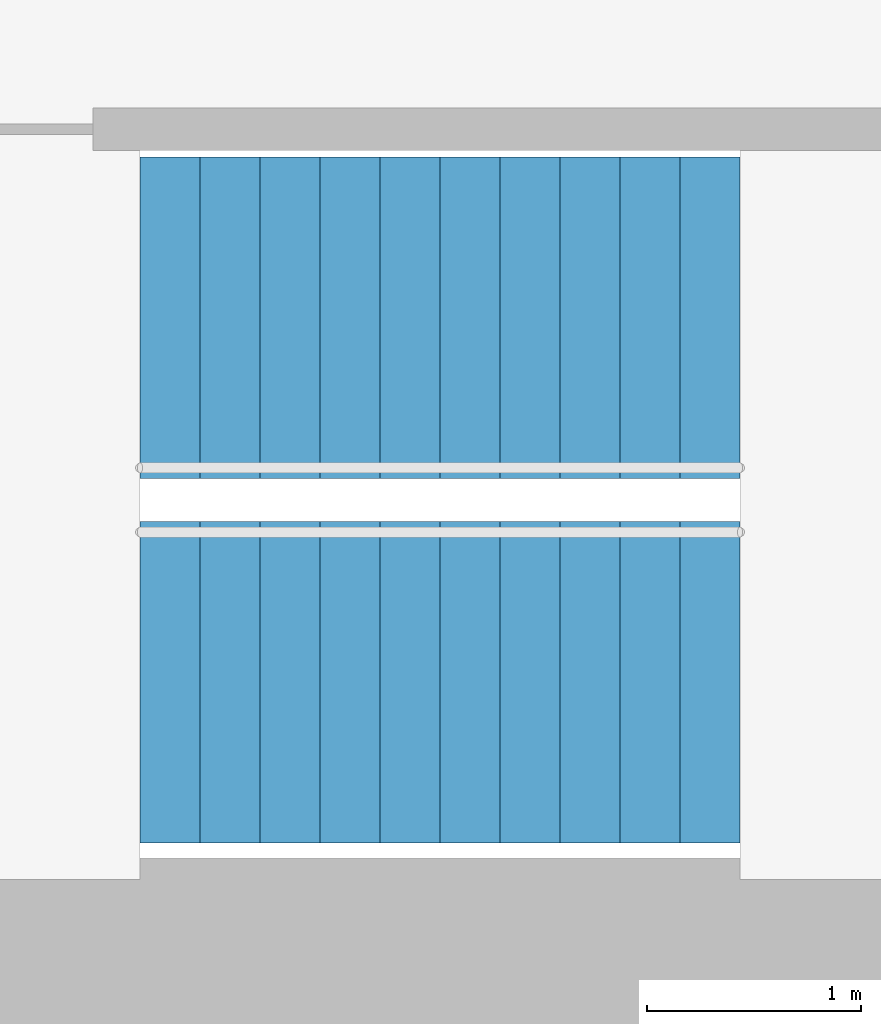
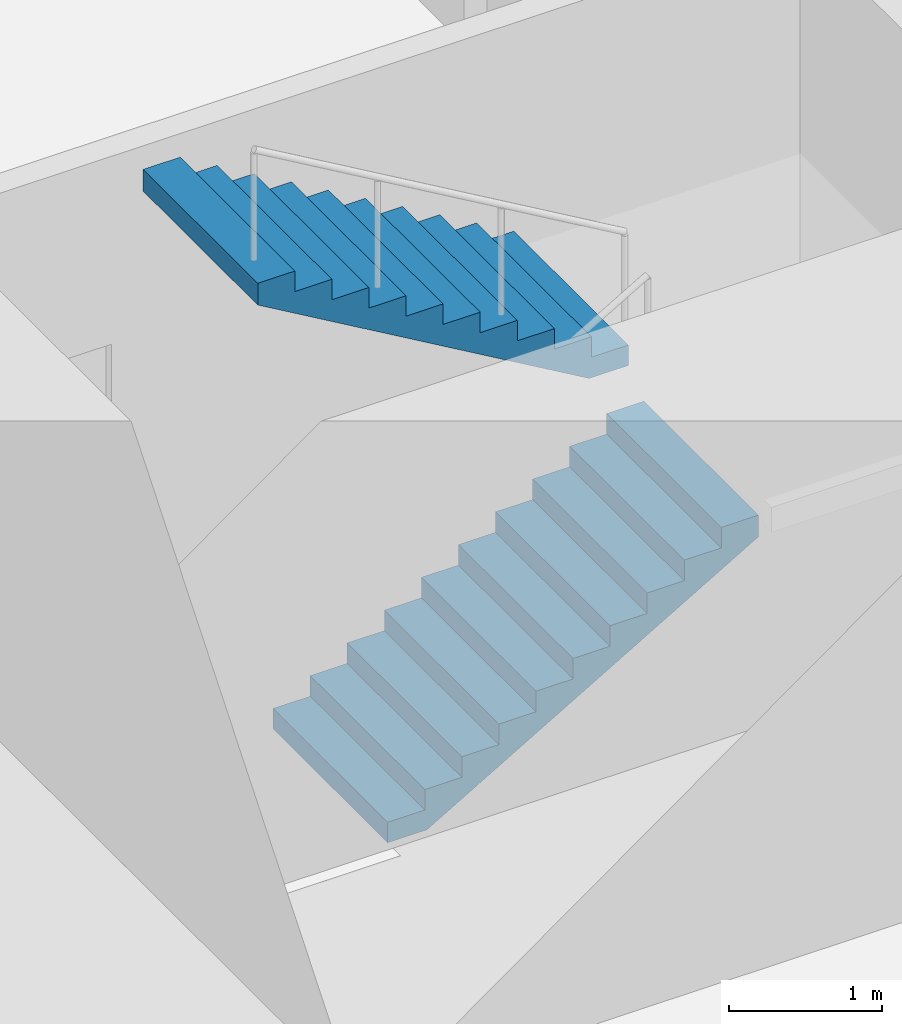
# One storey, part 14 of 17: 2 stair flights, 1 element without a shape of its own.
"""IFC4 building model written with IfcOpenShell, lengths in metres."""

from ifc_helpers import new_model, si_unit, direction, frame, origin, place, context, subcontext, project, spatial, triangles, material, type_object, element, aggregate, save


model = new_model("IFC4")

# Units and contexts
model_context = context("Model", 3, precision=1e-05, world=origin(), true_north=direction((0.0, 1.0)))
body_context = subcontext(model_context, "Body", "Model", "MODEL_VIEW")
ifc_project = project(units=[si_unit("LENGTHUNIT", "METRE"), si_unit("AREAUNIT", "SQUARE_METRE"), si_unit("VOLUMEUNIT", "CUBIC_METRE"), si_unit("PLANEANGLEUNIT", "RADIAN"), si_unit("MASSUNIT", "GRAM", prefix="KILO")], contexts=[model_context])

# Site, building, storey
site_placement = place(None, origin())
site = spatial("IfcSite", under=ifc_project, at=site_placement, CompositionType="ELEMENT")
building_placement = place(site_placement, origin())
building = spatial("IfcBuilding", under=site, at=building_placement, Name="Lantaw Convention Tower", CompositionType="ELEMENT")
storey_placement = place(building_placement, frame((0.0, 0.0, 37.0)))
storey = spatial("IfcBuildingStorey", under=building, at=storey_placement, Name="L06", CompositionType="ELEMENT", Elevation=37.0)

# Stair, stair flights
ifc_material = material(Name="Concrete C35/45", Category="concrete")
stair_type = type_object("IfcStairType", Name="Exit stair 1500 riser 163.64 in 2 flights", PredefinedType="HALF_TURN_STAIR", material=ifc_material)
stair_placement = place(storey_placement, origin())
stair = element("IfcStair", 1, at=stair_placement, inside=storey, type_object=stair_type, Name="Exit stair S1 L06", PredefinedType="HALF_TURN_STAIR")
stair_flight_type = type_object("IfcStairFlightType", Name="Stair flight 1500 riser 163.64", PredefinedType="STRAIGHT", material=ifc_material)
stair_flight_1_placement = place(storey_placement, frame((-10.580078125, -5.97998046875, 0.0), z_axis=(0.0, 0.0, 1.0), x_axis=(1.0, 0.0, 0.0)))
stair_flight_1 = element("IfcStairFlight", 2, at=stair_flight_1_placement, type_object=stair_flight_type, Name="S1 flight 1", NumberOfRisers=11, NumberOfTreads=10, PredefinedType="STRAIGHT", RiserHeight=0.163636364, TreadLength=0.28, context=body_context, shape_type="Tessellation", body=[
    triangles([(0.0, 0.75, 0.0), (0.0, 0.75, 0.163636364), (0.28, 0.75, 0.0), (0.28, 0.75, 0.163636364), (0.28, 0.75, 0.327272728), (0.2970904571225277, 0.75, 0.0), (0.2970904571225277, 0.75, 0.327272728), (0.56, 0.75, 0.1536484344906131), (0.56, 0.75, 0.327272728), (0.56, 0.75, 0.490909092), (0.8400000000000001, 0.75, 0.3172847984906131), (0.8400000000000001, 0.75, 0.490909092), (0.8400000000000001, 0.75, 0.654545456), (1.12, 0.75, 0.4809211624906131), (1.12, 0.75, 0.654545456), (1.12, 0.75, 0.8181818200000001), (1.4000000000000001, 0.75, 0.6445575264906132), (1.4000000000000001, 0.75, 0.8181818200000001), (1.4000000000000001, 0.75, 0.981818184), (1.6800000000000002, 0.75, 0.8081938904906131), (1.6800000000000002, 0.75, 0.981818184), (1.6800000000000002, 0.75, 1.145454548), (1.9600000000000002, 0.75, 0.9718302544906131), (1.9600000000000002, 0.75, 1.145454548), (1.9600000000000002, 0.75, 1.309090912), (2.24, 0.75, 1.135466618490613), (2.24, 0.75, 1.309090912), (2.24, 0.75, 1.472727276), (2.5200000000000005, 0.75, 1.2991029824906133), (2.5200000000000005, 0.75, 1.472727276), (2.5200000000000005, 0.75, 1.6363636400000001), (2.8000000000000003, 0.75, 1.462739346490613), (2.8000000000000003, 0.75, 1.6363636400000001), (0.0, -0.75, 0.0), (0.0, -0.75, 0.163636364), (0.28, -0.75, 0.0), (0.28, -0.75, 0.163636364), (0.28, -0.75, 0.327272728), (0.2970904571225277, -0.75, 0.0), (0.2970904571225277, -0.75, 0.327272728), (0.56, -0.75, 0.1536484344906131), (0.56, -0.75, 0.327272728), (0.56, -0.75, 0.490909092), (0.8400000000000001, -0.75, 0.3172847984906131), (0.8400000000000001, -0.75, 0.490909092), (0.8400000000000001, -0.75, 0.654545456), (1.12, -0.75, 0.4809211624906131), (1.12, -0.75, 0.654545456), (1.12, -0.75, 0.8181818200000001), (1.4000000000000001, -0.75, 0.6445575264906132), (1.4000000000000001, -0.75, 0.8181818200000001), (1.4000000000000001, -0.75, 0.981818184), (1.6800000000000002, -0.75, 0.8081938904906131), (1.6800000000000002, -0.75, 0.981818184), (1.6800000000000002, -0.75, 1.145454548), (1.9600000000000002, -0.75, 0.9718302544906131), (1.9600000000000002, -0.75, 1.145454548), (1.9600000000000002, -0.75, 1.309090912), (2.24, -0.75, 1.135466618490613), (2.24, -0.75, 1.309090912), (2.24, -0.75, 1.472727276), (2.5200000000000005, -0.75, 1.2991029824906133), (2.5200000000000005, -0.75, 1.472727276), (2.5200000000000005, -0.75, 1.6363636400000001), (2.8000000000000003, -0.75, 1.462739346490613), (2.8000000000000003, -0.75, 1.6363636400000001), (0.0, 0.15000000000000002, 0.163636364), (0.0, 0.15000000000000002, 0.0), (0.0, 0.0, 0.163636364), (0.0, 0.0, 0.0), (0.0, -0.15000000000000002, 0.163636364), (0.0, -0.15000000000000002, 0.0), (0.28, 0.15000000000000002, 0.327272728), (0.28, 0.15000000000000002, 0.163636364), (0.28, 0.0, 0.327272728), (0.28, 0.0, 0.163636364), (0.28, -0.15000000000000002, 0.327272728), (0.28, -0.15000000000000002, 0.163636364), (0.56, 0.15000000000000002, 0.490909092), (0.56, 0.15000000000000002, 0.327272728), (0.56, 0.0, 0.490909092), (0.56, 0.0, 0.327272728), (0.56, -0.15000000000000002, 0.490909092), (0.56, -0.15000000000000002, 0.327272728), (0.8400000000000001, 0.15000000000000002, 0.654545456), (0.8400000000000001, 0.15000000000000002, 0.490909092), (0.8400000000000001, 0.0, 0.654545456), (0.8400000000000001, 0.0, 0.490909092), (0.8400000000000001, -0.15000000000000002, 0.654545456), (0.8400000000000001, -0.15000000000000002, 0.490909092), (1.12, 0.15000000000000002, 0.8181818200000001), (1.12, 0.15000000000000002, 0.654545456), (1.12, 0.0, 0.8181818200000001), (1.12, 0.0, 0.654545456), (1.12, -0.15000000000000002, 0.8181818200000001), (1.12, -0.15000000000000002, 0.654545456), (1.4000000000000001, 0.15000000000000002, 0.981818184), (1.4000000000000001, 0.15000000000000002, 0.8181818200000001), (1.4000000000000001, 0.0, 0.981818184), (1.4000000000000001, 0.0, 0.8181818200000001), (1.4000000000000001, -0.15000000000000002, 0.981818184), (1.4000000000000001, -0.15000000000000002, 0.8181818200000001), (1.6800000000000002, 0.15000000000000002, 1.145454548), (1.6800000000000002, 0.15000000000000002, 0.981818184), (1.6800000000000002, 0.0, 1.145454548), (1.6800000000000002, 0.0, 0.981818184), (1.6800000000000002, -0.15000000000000002, 1.145454548), (1.6800000000000002, -0.15000000000000002, 0.981818184), (1.9600000000000002, 0.15000000000000002, 1.309090912), (1.9600000000000002, 0.15000000000000002, 1.145454548), (1.9600000000000002, 0.0, 1.309090912), (1.9600000000000002, 0.0, 1.145454548), (1.9600000000000002, -0.15000000000000002, 1.309090912), (1.9600000000000002, -0.15000000000000002, 1.145454548), (2.24, 0.15000000000000002, 1.472727276), (2.24, 0.15000000000000002, 1.309090912), (2.24, 0.0, 1.472727276), (2.24, 0.0, 1.309090912), (2.24, -0.15000000000000002, 1.472727276), (2.24, -0.15000000000000002, 1.309090912), (2.5200000000000005, 0.15000000000000002, 1.6363636400000001), (2.5200000000000005, 0.15000000000000002, 1.472727276), (2.5200000000000005, 0.0, 1.6363636400000001), (2.5200000000000005, 0.0, 1.472727276), (2.5200000000000005, -0.15000000000000002, 1.6363636400000001), (2.5200000000000005, -0.15000000000000002, 1.472727276), (0.2970904571225277, 0.15000000000000002, 0.327272728), (0.2970904571225277, 0.0, 0.327272728), (0.2970904571225277, -0.15000000000000002, 0.327272728), (2.8000000000000003, 0.15000000000000002, 1.6363636400000001), (2.8000000000000003, 0.0, 1.6363636400000001), (2.8000000000000003, -0.15000000000000002, 1.6363636400000001), (2.8000000000000003, 0.15000000000000002, 1.462739346490613), (2.8000000000000003, 0.0, 1.462739346490613), (2.8000000000000003, -0.15000000000000002, 1.462739346490613), (2.5200000000000005, 0.15000000000000002, 1.2991029824906133), (2.5200000000000005, 0.0, 1.2991029824906133), (2.5200000000000005, -0.15000000000000002, 1.2991029824906133), (2.24, 0.15000000000000002, 1.135466618490613), (2.24, 0.0, 1.135466618490613), (2.24, -0.15000000000000002, 1.135466618490613), (1.9600000000000002, 0.15000000000000002, 0.9718302544906131), (1.9600000000000002, 0.0, 0.9718302544906131), (1.9600000000000002, -0.15000000000000002, 0.9718302544906131), (1.6800000000000002, 0.15000000000000002, 0.8081938904906131), (1.6800000000000002, 0.0, 0.8081938904906131), (1.6800000000000002, -0.15000000000000002, 0.8081938904906131), (1.4000000000000001, 0.15000000000000002, 0.6445575264906132), (1.4000000000000001, 0.0, 0.6445575264906132), (1.4000000000000001, -0.15000000000000002, 0.6445575264906132), (1.12, 0.15000000000000002, 0.4809211624906131), (1.12, 0.0, 0.4809211624906131), (1.12, -0.15000000000000002, 0.4809211624906131), (0.8400000000000001, 0.15000000000000002, 0.3172847984906131), (0.8400000000000001, 0.0, 0.3172847984906131), (0.8400000000000001, -0.15000000000000002, 0.3172847984906131), (0.56, 0.15000000000000002, 0.1536484344906131), (0.56, 0.0, 0.1536484344906131), (0.56, -0.15000000000000002, 0.1536484344906131), (0.2970904571225277, 0.15000000000000002, 0.0), (0.2970904571225277, 0.0, 0.0), (0.2970904571225277, -0.15000000000000002, 0.0), (0.28, 0.15000000000000002, 0.0), (0.28, 0.0, 0.0), (0.28, -0.15000000000000002, 0.0)], [[1, 4, 3], [1, 2, 4], [3, 4, 6], [4, 7, 6], [4, 5, 7], [6, 9, 8], [6, 7, 9], [8, 9, 11], [9, 12, 11], [9, 10, 12], [11, 12, 14], [12, 15, 14], [12, 13, 15], [14, 15, 17], [15, 18, 17], [15, 16, 18], [17, 18, 20], [18, 21, 20], [18, 19, 21], [20, 21, 23], [21, 24, 23], [21, 22, 24], [23, 24, 26], [24, 27, 26], [24, 25, 27], [26, 27, 29], [27, 30, 29], [27, 28, 30], [29, 30, 32], [30, 33, 32], [30, 31, 33], [34, 36, 37], [34, 37, 35], [36, 39, 37], [37, 39, 40], [37, 40, 38], [39, 41, 42], [39, 42, 40], [41, 44, 42], [42, 44, 45], [42, 45, 43], [44, 47, 45], [45, 47, 48], [45, 48, 46], [47, 50, 48], [48, 50, 51], [48, 51, 49], [50, 53, 51], [51, 53, 54], [51, 54, 52], [53, 56, 54], [54, 56, 57], [54, 57, 55], [56, 59, 57], [57, 59, 60], [57, 60, 58], [59, 62, 60], [60, 62, 63], [60, 63, 61], [62, 65, 63], [63, 65, 66], [63, 66, 64], [1, 67, 2], [1, 68, 67], [68, 69, 67], [68, 70, 69], [70, 71, 69], [70, 72, 71], [72, 35, 71], [72, 34, 35], [4, 73, 5], [4, 74, 73], [74, 75, 73], [74, 76, 75], [76, 77, 75], [76, 78, 77], [78, 38, 77], [78, 37, 38], [9, 79, 10], [9, 80, 79], [80, 81, 79], [80, 82, 81], [82, 83, 81], [82, 84, 83], [84, 43, 83], [84, 42, 43], [12, 85, 13], [12, 86, 85], [86, 87, 85], [86, 88, 87], [88, 89, 87], [88, 90, 89], [90, 46, 89], [90, 45, 46], [15, 91, 16], [15, 92, 91], [92, 93, 91], [92, 94, 93], [94, 95, 93], [94, 96, 95], [96, 49, 95], [96, 48, 49], [18, 97, 19], [18, 98, 97], [98, 99, 97], [98, 100, 99], [100, 101, 99], [100, 102, 101], [102, 52, 101], [102, 51, 52], [21, 103, 22], [21, 104, 103], [104, 105, 103], [104, 106, 105], [106, 107, 105], [106, 108, 107], [108, 55, 107], [108, 54, 55], [24, 109, 25], [24, 110, 109], [110, 111, 109], [110, 112, 111], [112, 113, 111], [112, 114, 113], [114, 58, 113], [114, 57, 58], [27, 115, 28], [27, 116, 115], [116, 117, 115], [116, 118, 117], [118, 119, 117], [118, 120, 119], [120, 61, 119], [120, 60, 61], [30, 121, 31], [30, 122, 121], [122, 123, 121], [122, 124, 123], [124, 125, 123], [124, 126, 125], [126, 64, 125], [126, 63, 64], [2, 74, 4], [2, 67, 74], [67, 76, 74], [67, 69, 76], [69, 78, 76], [69, 71, 78], [71, 37, 78], [71, 35, 37], [5, 127, 7], [5, 73, 127], [73, 128, 127], [73, 75, 128], [75, 129, 128], [75, 77, 129], [77, 40, 129], [77, 38, 40], [7, 80, 9], [7, 127, 80], [127, 82, 80], [127, 128, 82], [128, 84, 82], [128, 129, 84], [129, 42, 84], [129, 40, 42], [10, 86, 12], [10, 79, 86], [79, 88, 86], [79, 81, 88], [81, 90, 88], [81, 83, 90], [83, 45, 90], [83, 43, 45], [13, 92, 15], [13, 85, 92], [85, 94, 92], [85, 87, 94], [87, 96, 94], [87, 89, 96], [89, 48, 96], [89, 46, 48], [16, 98, 18], [16, 91, 98], [91, 100, 98], [91, 93, 100], [93, 102, 100], [93, 95, 102], [95, 51, 102], [95, 49, 51], [19, 104, 21], [19, 97, 104], [97, 106, 104], [97, 99, 106], [99, 108, 106], [99, 101, 108], [101, 54, 108], [101, 52, 54], [22, 110, 24], [22, 103, 110], [103, 112, 110], [103, 105, 112], [105, 114, 112], [105, 107, 114], [107, 57, 114], [107, 55, 57], [25, 116, 27], [25, 109, 116], [109, 118, 116], [109, 111, 118], [111, 120, 118], [111, 113, 120], [113, 60, 120], [113, 58, 60], [28, 122, 30], [28, 115, 122], [115, 124, 122], [115, 117, 124], [117, 126, 124], [117, 119, 126], [119, 63, 126], [119, 61, 63], [31, 130, 33], [31, 121, 130], [121, 131, 130], [121, 123, 131], [123, 132, 131], [123, 125, 132], [125, 66, 132], [125, 64, 66], [33, 133, 32], [33, 130, 133], [130, 134, 133], [130, 131, 134], [131, 135, 134], [131, 132, 135], [132, 65, 135], [132, 66, 65], [32, 136, 29], [32, 133, 136], [133, 137, 136], [133, 134, 137], [134, 138, 137], [134, 135, 138], [135, 62, 138], [135, 65, 62], [29, 139, 26], [29, 136, 139], [136, 140, 139], [136, 137, 140], [137, 141, 140], [137, 138, 141], [138, 59, 141], [138, 62, 59], [26, 142, 23], [26, 139, 142], [139, 143, 142], [139, 140, 143], [140, 144, 143], [140, 141, 144], [141, 56, 144], [141, 59, 56], [23, 145, 20], [23, 142, 145], [142, 146, 145], [142, 143, 146], [143, 147, 146], [143, 144, 147], [144, 53, 147], [144, 56, 53], [20, 148, 17], [20, 145, 148], [145, 149, 148], [145, 146, 149], [146, 150, 149], [146, 147, 150], [147, 50, 150], [147, 53, 50], [17, 151, 14], [17, 148, 151], [148, 152, 151], [148, 149, 152], [149, 153, 152], [149, 150, 153], [150, 47, 153], [150, 50, 47], [14, 154, 11], [14, 151, 154], [151, 155, 154], [151, 152, 155], [152, 156, 155], [152, 153, 156], [153, 44, 156], [153, 47, 44], [11, 157, 8], [11, 154, 157], [154, 158, 157], [154, 155, 158], [155, 159, 158], [155, 156, 159], [156, 41, 159], [156, 44, 41], [8, 160, 6], [8, 157, 160], [157, 161, 160], [157, 158, 161], [158, 162, 161], [158, 159, 162], [159, 39, 162], [159, 41, 39], [6, 163, 3], [6, 160, 163], [160, 164, 163], [160, 161, 164], [161, 165, 164], [161, 162, 165], [162, 36, 165], [162, 39, 36], [3, 68, 1], [3, 163, 68], [163, 70, 68], [163, 164, 70], [164, 72, 70], [164, 165, 72], [165, 34, 72], [165, 36, 34]], closed=True),
])
stair_flight_2_placement = place(storey_placement, frame((-7.780029296875, -4.280029296875, 1.800048828125), z_axis=(0.0, 0.0, 1.0), x_axis=(-1.0, 0.0, 0.0)))
stair_flight_2 = element("IfcStairFlight", 3, at=stair_flight_2_placement, type_object=stair_flight_type, Name="S1 flight 2", NumberOfRisers=11, NumberOfTreads=10, PredefinedType="STRAIGHT", RiserHeight=0.163636364, TreadLength=0.28, context=body_context, shape_type="Tessellation", body=[
    triangles([(0.0, 0.75, 0.0), (0.0, 0.75, 0.163636364), (0.28, 0.75, 0.0), (0.28, 0.75, 0.163636364), (0.28, 0.75, 0.327272728), (0.2970904571225277, 0.75, 0.0), (0.2970904571225277, 0.75, 0.327272728), (0.56, 0.75, 0.1536484344906131), (0.56, 0.75, 0.327272728), (0.56, 0.75, 0.490909092), (0.8400000000000001, 0.75, 0.3172847984906131), (0.8400000000000001, 0.75, 0.490909092), (0.8400000000000001, 0.75, 0.654545456), (1.12, 0.75, 0.4809211624906131), (1.12, 0.75, 0.654545456), (1.12, 0.75, 0.8181818200000001), (1.4000000000000001, 0.75, 0.6445575264906132), (1.4000000000000001, 0.75, 0.8181818200000001), (1.4000000000000001, 0.75, 0.981818184), (1.6800000000000002, 0.75, 0.8081938904906131), (1.6800000000000002, 0.75, 0.981818184), (1.6800000000000002, 0.75, 1.145454548), (1.9600000000000002, 0.75, 0.9718302544906131), (1.9600000000000002, 0.75, 1.145454548), (1.9600000000000002, 0.75, 1.309090912), (2.24, 0.75, 1.135466618490613), (2.24, 0.75, 1.309090912), (2.24, 0.75, 1.472727276), (2.5200000000000005, 0.75, 1.2991029824906133), (2.5200000000000005, 0.75, 1.472727276), (2.5200000000000005, 0.75, 1.6363636400000001), (2.8000000000000003, 0.75, 1.462739346490613), (2.8000000000000003, 0.75, 1.6363636400000001), (0.0, -0.75, 0.0), (0.0, -0.75, 0.163636364), (0.28, -0.75, 0.0), (0.28, -0.75, 0.163636364), (0.28, -0.75, 0.327272728), (0.2970904571225277, -0.75, 0.0), (0.2970904571225277, -0.75, 0.327272728), (0.56, -0.75, 0.1536484344906131), (0.56, -0.75, 0.327272728), (0.56, -0.75, 0.490909092), (0.8400000000000001, -0.75, 0.3172847984906131), (0.8400000000000001, -0.75, 0.490909092), (0.8400000000000001, -0.75, 0.654545456), (1.12, -0.75, 0.4809211624906131), (1.12, -0.75, 0.654545456), (1.12, -0.75, 0.8181818200000001), (1.4000000000000001, -0.75, 0.6445575264906132), (1.4000000000000001, -0.75, 0.8181818200000001), (1.4000000000000001, -0.75, 0.981818184), (1.6800000000000002, -0.75, 0.8081938904906131), (1.6800000000000002, -0.75, 0.981818184), (1.6800000000000002, -0.75, 1.145454548), (1.9600000000000002, -0.75, 0.9718302544906131), (1.9600000000000002, -0.75, 1.145454548), (1.9600000000000002, -0.75, 1.309090912), (2.24, -0.75, 1.135466618490613), (2.24, -0.75, 1.309090912), (2.24, -0.75, 1.472727276), (2.5200000000000005, -0.75, 1.2991029824906133), (2.5200000000000005, -0.75, 1.472727276), (2.5200000000000005, -0.75, 1.6363636400000001), (2.8000000000000003, -0.75, 1.462739346490613), (2.8000000000000003, -0.75, 1.6363636400000001), (0.0, 0.15000000000000002, 0.163636364), (0.0, 0.15000000000000002, 0.0), (0.0, 0.0, 0.163636364), (0.0, 0.0, 0.0), (0.0, -0.15000000000000002, 0.163636364), (0.0, -0.15000000000000002, 0.0), (0.28, 0.15000000000000002, 0.327272728), (0.28, 0.15000000000000002, 0.163636364), (0.28, 0.0, 0.327272728), (0.28, 0.0, 0.163636364), (0.28, -0.15000000000000002, 0.327272728), (0.28, -0.15000000000000002, 0.163636364), (0.56, 0.15000000000000002, 0.490909092), (0.56, 0.15000000000000002, 0.327272728), (0.56, 0.0, 0.490909092), (0.56, 0.0, 0.327272728), (0.56, -0.15000000000000002, 0.490909092), (0.56, -0.15000000000000002, 0.327272728), (0.8400000000000001, 0.15000000000000002, 0.654545456), (0.8400000000000001, 0.15000000000000002, 0.490909092), (0.8400000000000001, 0.0, 0.654545456), (0.8400000000000001, 0.0, 0.490909092), (0.8400000000000001, -0.15000000000000002, 0.654545456), (0.8400000000000001, -0.15000000000000002, 0.490909092), (1.12, 0.15000000000000002, 0.8181818200000001), (1.12, 0.15000000000000002, 0.654545456), (1.12, 0.0, 0.8181818200000001), (1.12, 0.0, 0.654545456), (1.12, -0.15000000000000002, 0.8181818200000001), (1.12, -0.15000000000000002, 0.654545456), (1.4000000000000001, 0.15000000000000002, 0.981818184), (1.4000000000000001, 0.15000000000000002, 0.8181818200000001), (1.4000000000000001, 0.0, 0.981818184), (1.4000000000000001, 0.0, 0.8181818200000001), (1.4000000000000001, -0.15000000000000002, 0.981818184), (1.4000000000000001, -0.15000000000000002, 0.8181818200000001), (1.6800000000000002, 0.15000000000000002, 1.145454548), (1.6800000000000002, 0.15000000000000002, 0.981818184), (1.6800000000000002, 0.0, 1.145454548), (1.6800000000000002, 0.0, 0.981818184), (1.6800000000000002, -0.15000000000000002, 1.145454548), (1.6800000000000002, -0.15000000000000002, 0.981818184), (1.9600000000000002, 0.15000000000000002, 1.309090912), (1.9600000000000002, 0.15000000000000002, 1.145454548), (1.9600000000000002, 0.0, 1.309090912), (1.9600000000000002, 0.0, 1.145454548), (1.9600000000000002, -0.15000000000000002, 1.309090912), (1.9600000000000002, -0.15000000000000002, 1.145454548), (2.24, 0.15000000000000002, 1.472727276), (2.24, 0.15000000000000002, 1.309090912), (2.24, 0.0, 1.472727276), (2.24, 0.0, 1.309090912), (2.24, -0.15000000000000002, 1.472727276), (2.24, -0.15000000000000002, 1.309090912), (2.5200000000000005, 0.15000000000000002, 1.6363636400000001), (2.5200000000000005, 0.15000000000000002, 1.472727276), (2.5200000000000005, 0.0, 1.6363636400000001), (2.5200000000000005, 0.0, 1.472727276), (2.5200000000000005, -0.15000000000000002, 1.6363636400000001), (2.5200000000000005, -0.15000000000000002, 1.472727276), (0.2970904571225277, 0.15000000000000002, 0.327272728), (0.2970904571225277, 0.0, 0.327272728), (0.2970904571225277, -0.15000000000000002, 0.327272728), (2.8000000000000003, 0.15000000000000002, 1.6363636400000001), (2.8000000000000003, 0.0, 1.6363636400000001), (2.8000000000000003, -0.15000000000000002, 1.6363636400000001), (2.8000000000000003, 0.15000000000000002, 1.462739346490613), (2.8000000000000003, 0.0, 1.462739346490613), (2.8000000000000003, -0.15000000000000002, 1.462739346490613), (2.5200000000000005, 0.15000000000000002, 1.2991029824906133), (2.5200000000000005, 0.0, 1.2991029824906133), (2.5200000000000005, -0.15000000000000002, 1.2991029824906133), (2.24, 0.15000000000000002, 1.135466618490613), (2.24, 0.0, 1.135466618490613), (2.24, -0.15000000000000002, 1.135466618490613), (1.9600000000000002, 0.15000000000000002, 0.9718302544906131), (1.9600000000000002, 0.0, 0.9718302544906131), (1.9600000000000002, -0.15000000000000002, 0.9718302544906131), (1.6800000000000002, 0.15000000000000002, 0.8081938904906131), (1.6800000000000002, 0.0, 0.8081938904906131), (1.6800000000000002, -0.15000000000000002, 0.8081938904906131), (1.4000000000000001, 0.15000000000000002, 0.6445575264906132), (1.4000000000000001, 0.0, 0.6445575264906132), (1.4000000000000001, -0.15000000000000002, 0.6445575264906132), (1.12, 0.15000000000000002, 0.4809211624906131), (1.12, 0.0, 0.4809211624906131), (1.12, -0.15000000000000002, 0.4809211624906131), (0.8400000000000001, 0.15000000000000002, 0.3172847984906131), (0.8400000000000001, 0.0, 0.3172847984906131), (0.8400000000000001, -0.15000000000000002, 0.3172847984906131), (0.56, 0.15000000000000002, 0.1536484344906131), (0.56, 0.0, 0.1536484344906131), (0.56, -0.15000000000000002, 0.1536484344906131), (0.2970904571225277, 0.15000000000000002, 0.0), (0.2970904571225277, 0.0, 0.0), (0.2970904571225277, -0.15000000000000002, 0.0), (0.28, 0.15000000000000002, 0.0), (0.28, 0.0, 0.0), (0.28, -0.15000000000000002, 0.0)], [[1, 4, 3], [1, 2, 4], [3, 4, 6], [4, 7, 6], [4, 5, 7], [6, 9, 8], [6, 7, 9], [8, 9, 11], [9, 12, 11], [9, 10, 12], [11, 12, 14], [12, 15, 14], [12, 13, 15], [14, 15, 17], [15, 18, 17], [15, 16, 18], [17, 18, 20], [18, 21, 20], [18, 19, 21], [20, 21, 23], [21, 24, 23], [21, 22, 24], [23, 24, 26], [24, 27, 26], [24, 25, 27], [26, 27, 29], [27, 30, 29], [27, 28, 30], [29, 30, 32], [30, 33, 32], [30, 31, 33], [34, 36, 37], [34, 37, 35], [36, 39, 37], [37, 39, 40], [37, 40, 38], [39, 41, 42], [39, 42, 40], [41, 44, 42], [42, 44, 45], [42, 45, 43], [44, 47, 45], [45, 47, 48], [45, 48, 46], [47, 50, 48], [48, 50, 51], [48, 51, 49], [50, 53, 51], [51, 53, 54], [51, 54, 52], [53, 56, 54], [54, 56, 57], [54, 57, 55], [56, 59, 57], [57, 59, 60], [57, 60, 58], [59, 62, 60], [60, 62, 63], [60, 63, 61], [62, 65, 63], [63, 65, 66], [63, 66, 64], [1, 67, 2], [1, 68, 67], [68, 69, 67], [68, 70, 69], [70, 71, 69], [70, 72, 71], [72, 35, 71], [72, 34, 35], [4, 73, 5], [4, 74, 73], [74, 75, 73], [74, 76, 75], [76, 77, 75], [76, 78, 77], [78, 38, 77], [78, 37, 38], [9, 79, 10], [9, 80, 79], [80, 81, 79], [80, 82, 81], [82, 83, 81], [82, 84, 83], [84, 43, 83], [84, 42, 43], [12, 85, 13], [12, 86, 85], [86, 87, 85], [86, 88, 87], [88, 89, 87], [88, 90, 89], [90, 46, 89], [90, 45, 46], [15, 91, 16], [15, 92, 91], [92, 93, 91], [92, 94, 93], [94, 95, 93], [94, 96, 95], [96, 49, 95], [96, 48, 49], [18, 97, 19], [18, 98, 97], [98, 99, 97], [98, 100, 99], [100, 101, 99], [100, 102, 101], [102, 52, 101], [102, 51, 52], [21, 103, 22], [21, 104, 103], [104, 105, 103], [104, 106, 105], [106, 107, 105], [106, 108, 107], [108, 55, 107], [108, 54, 55], [24, 109, 25], [24, 110, 109], [110, 111, 109], [110, 112, 111], [112, 113, 111], [112, 114, 113], [114, 58, 113], [114, 57, 58], [27, 115, 28], [27, 116, 115], [116, 117, 115], [116, 118, 117], [118, 119, 117], [118, 120, 119], [120, 61, 119], [120, 60, 61], [30, 121, 31], [30, 122, 121], [122, 123, 121], [122, 124, 123], [124, 125, 123], [124, 126, 125], [126, 64, 125], [126, 63, 64], [2, 74, 4], [2, 67, 74], [67, 76, 74], [67, 69, 76], [69, 78, 76], [69, 71, 78], [71, 37, 78], [71, 35, 37], [5, 127, 7], [5, 73, 127], [73, 128, 127], [73, 75, 128], [75, 129, 128], [75, 77, 129], [77, 40, 129], [77, 38, 40], [7, 80, 9], [7, 127, 80], [127, 82, 80], [127, 128, 82], [128, 84, 82], [128, 129, 84], [129, 42, 84], [129, 40, 42], [10, 86, 12], [10, 79, 86], [79, 88, 86], [79, 81, 88], [81, 90, 88], [81, 83, 90], [83, 45, 90], [83, 43, 45], [13, 92, 15], [13, 85, 92], [85, 94, 92], [85, 87, 94], [87, 96, 94], [87, 89, 96], [89, 48, 96], [89, 46, 48], [16, 98, 18], [16, 91, 98], [91, 100, 98], [91, 93, 100], [93, 102, 100], [93, 95, 102], [95, 51, 102], [95, 49, 51], [19, 104, 21], [19, 97, 104], [97, 106, 104], [97, 99, 106], [99, 108, 106], [99, 101, 108], [101, 54, 108], [101, 52, 54], [22, 110, 24], [22, 103, 110], [103, 112, 110], [103, 105, 112], [105, 114, 112], [105, 107, 114], [107, 57, 114], [107, 55, 57], [25, 116, 27], [25, 109, 116], [109, 118, 116], [109, 111, 118], [111, 120, 118], [111, 113, 120], [113, 60, 120], [113, 58, 60], [28, 122, 30], [28, 115, 122], [115, 124, 122], [115, 117, 124], [117, 126, 124], [117, 119, 126], [119, 63, 126], [119, 61, 63], [31, 130, 33], [31, 121, 130], [121, 131, 130], [121, 123, 131], [123, 132, 131], [123, 125, 132], [125, 66, 132], [125, 64, 66], [33, 133, 32], [33, 130, 133], [130, 134, 133], [130, 131, 134], [131, 135, 134], [131, 132, 135], [132, 65, 135], [132, 66, 65], [32, 136, 29], [32, 133, 136], [133, 137, 136], [133, 134, 137], [134, 138, 137], [134, 135, 138], [135, 62, 138], [135, 65, 62], [29, 139, 26], [29, 136, 139], [136, 140, 139], [136, 137, 140], [137, 141, 140], [137, 138, 141], [138, 59, 141], [138, 62, 59], [26, 142, 23], [26, 139, 142], [139, 143, 142], [139, 140, 143], [140, 144, 143], [140, 141, 144], [141, 56, 144], [141, 59, 56], [23, 145, 20], [23, 142, 145], [142, 146, 145], [142, 143, 146], [143, 147, 146], [143, 144, 147], [144, 53, 147], [144, 56, 53], [20, 148, 17], [20, 145, 148], [145, 149, 148], [145, 146, 149], [146, 150, 149], [146, 147, 150], [147, 50, 150], [147, 53, 50], [17, 151, 14], [17, 148, 151], [148, 152, 151], [148, 149, 152], [149, 153, 152], [149, 150, 153], [150, 47, 153], [150, 50, 47], [14, 154, 11], [14, 151, 154], [151, 155, 154], [151, 152, 155], [152, 156, 155], [152, 153, 156], [153, 44, 156], [153, 47, 44], [11, 157, 8], [11, 154, 157], [154, 158, 157], [154, 155, 158], [155, 159, 158], [155, 156, 159], [156, 41, 159], [156, 44, 41], [8, 160, 6], [8, 157, 160], [157, 161, 160], [157, 158, 161], [158, 162, 161], [158, 159, 162], [159, 39, 162], [159, 41, 39], [6, 163, 3], [6, 160, 163], [160, 164, 163], [160, 161, 164], [161, 165, 164], [161, 162, 165], [162, 36, 165], [162, 39, 36], [3, 68, 1], [3, 163, 68], [163, 70, 68], [163, 164, 70], [164, 72, 70], [164, 165, 72], [165, 34, 72], [165, 36, 34]], closed=True),
])
aggregate(stair, [stair_flight_1, stair_flight_2])

save(model, "model.ifc")
